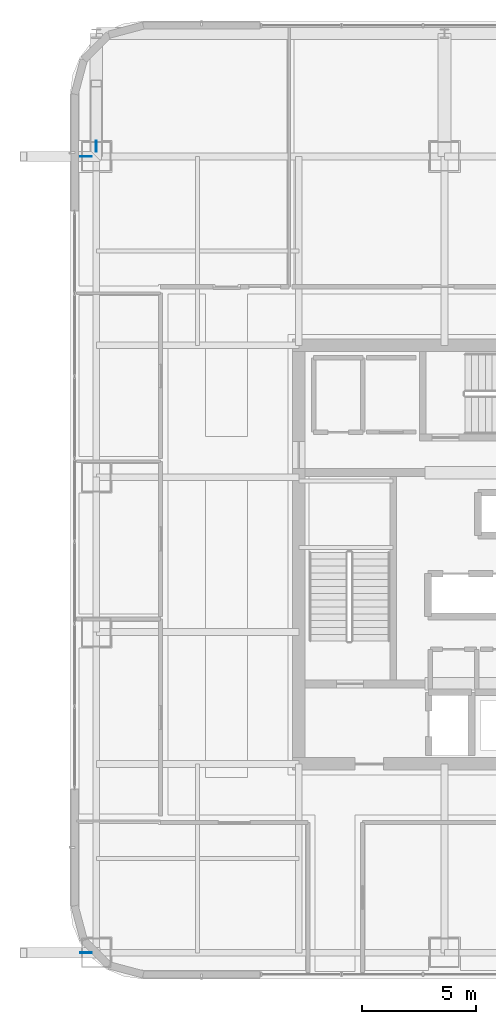
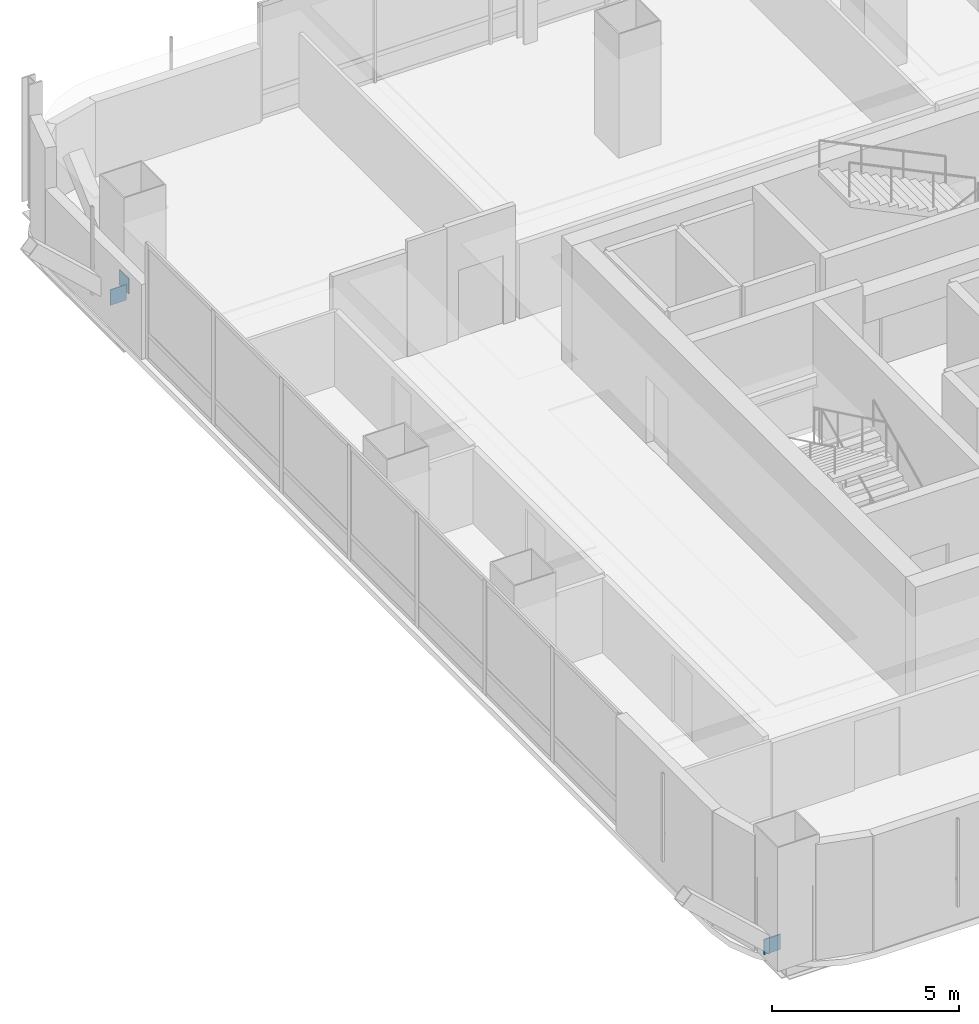
# One storey, part 34 of 51: 3 plates.
"""IFC4 building model written with IfcOpenShell, lengths in metres."""

from ifc_helpers import new_model, si_unit, direction, frame, origin, origin_2d, place, context, subcontext, project, spatial, rectangle, extrude, material, layer, layer_set, type_object, element, save


model = new_model("IFC4")

# Units and contexts
model_context = context("Model", 3, precision=1e-05, world=origin(), true_north=direction((0.0, 1.0)))
body_context = subcontext(model_context, "Body", "Model", "MODEL_VIEW")
ifc_project = project(units=[si_unit("LENGTHUNIT", "METRE"), si_unit("AREAUNIT", "SQUARE_METRE"), si_unit("VOLUMEUNIT", "CUBIC_METRE"), si_unit("PLANEANGLEUNIT", "RADIAN"), si_unit("MASSUNIT", "GRAM", prefix="KILO")], contexts=[model_context])

# Site, building, storey
site_placement = place(None, origin())
site = spatial("IfcSite", under=ifc_project, at=site_placement, CompositionType="ELEMENT")
building_placement = place(site_placement, origin())
building = spatial("IfcBuilding", under=site, at=building_placement, Name="Punatoya Terracotta Tower", CompositionType="ELEMENT")
storey_placement = place(building_placement, frame((0.0, 0.0, 279.75)))
storey = spatial("IfcBuildingStorey", under=building, at=storey_placement, Name="L66", CompositionType="ELEMENT", Elevation=279.75)

# Plates
ifc_material = material(Name="Steel S460", Category="steel")
ifc_layer = layer(ifc_material, 0.031982421875)
ifc_layer_set = layer_set([ifc_layer], Name="Steel S460")
plate_type = type_object("IfcPlateType", Name="PLT-END-32", PredefinedType="USERDEFINED", material=ifc_layer_set)
for number, where, z_axis, x_axis, name in (
    (1, (-19.548095703125, -17.5, 0.18310546875), (0.0, 0.0, 1.0), (1.0, 0.0, 0.0), "L67 Knee-Strut Base Gusset Plate W1"),
    (2, (-19.548095703125, 17.5, 0.18310546875), (0.0, 0.0, 1.0), (1.0, 0.0, 0.0), "L67 Knee-Strut Base Gusset Plate W2"),
    (3, (-19.10009765625, 17.947998046875, 0.18310546875), (0.0, 0.0, 1.0), (0.0, 1.0, 0.0), "L67 Knee-Strut Base Gusset Plate N1"),
):
    element("IfcPlate", number, at=place(storey_placement, frame(where, z_axis=z_axis, x_axis=x_axis)), inside=storey, type_object=plate_type, Name=name, ObjectType="FLANGE_PLATE", PredefinedType="USERDEFINED", context=body_context, shape_type="SweptSolid", body=[
        extrude(rectangle(XDim=0.5, YDim=0.031982421875, at=origin_2d()), origin(), (0.0, 0.0, 1.0), 0.5),
    ])

save(model, "model.ifc")
